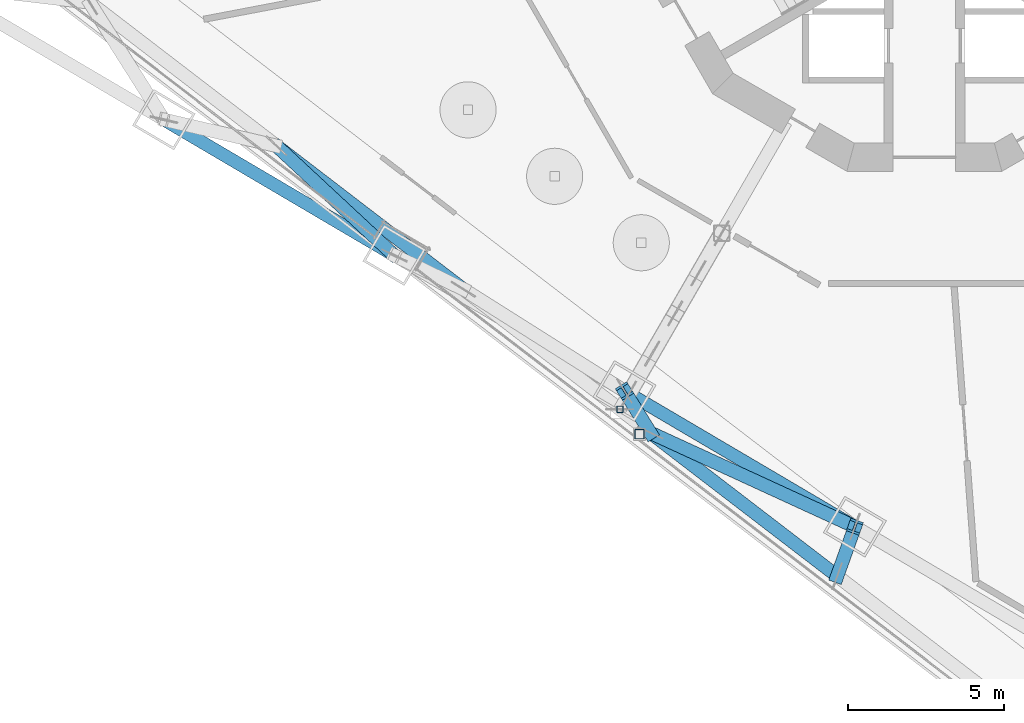
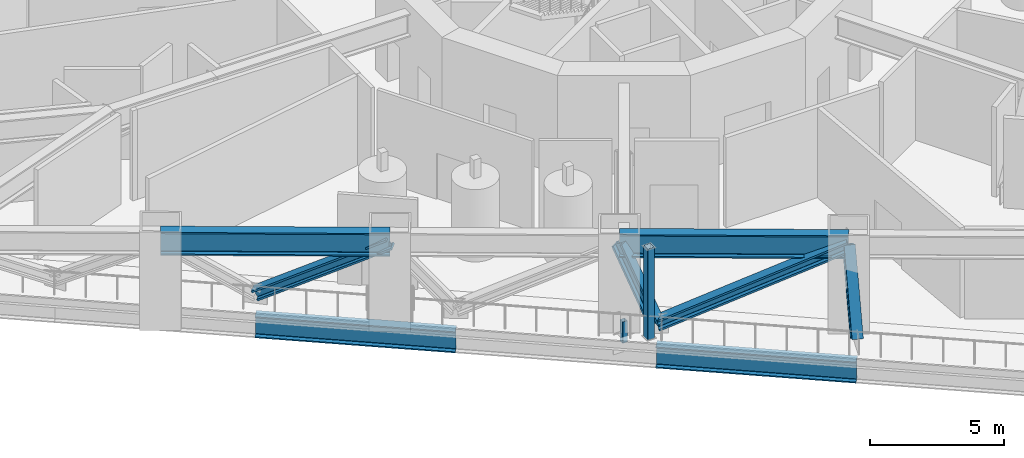
# One storey, part 1 of 23: 10 members.
"""IFC4 building model written with IfcOpenShell, lengths in metres."""

from ifc_helpers import new_model, si_unit, direction, frame, origin, origin_2d, place, context, subcontext, project, spatial, hollow_rectangle, i_section, extrude, material, material_profile, profile_set, type_object, element, save


model = new_model("IFC4")

# Units and contexts
model_context = context("Model", 3, precision=1e-05, world=origin(), true_north=direction((0.0, 1.0)))
body_context = subcontext(model_context, "Body", "Model", "MODEL_VIEW")
ifc_project = project(units=[si_unit("LENGTHUNIT", "METRE"), si_unit("AREAUNIT", "SQUARE_METRE"), si_unit("VOLUMEUNIT", "CUBIC_METRE"), si_unit("PLANEANGLEUNIT", "RADIAN"), si_unit("MASSUNIT", "GRAM", prefix="KILO")], contexts=[model_context])

# Site, building, storey
site_placement = place(None, origin())
site = spatial("IfcSite", under=ifc_project, at=site_placement, CompositionType="ELEMENT")
building_placement = place(site_placement, origin())
building = spatial("IfcBuilding", under=site, at=building_placement, Name="Trine Commons Tower", CompositionType="ELEMENT")
storey_placement = place(building_placement, frame((0.0, 0.0, 156.60009765625)))
storey = spatial("IfcBuildingStorey", under=building, at=storey_placement, Name="L40", CompositionType="ELEMENT", Elevation=156.60009765625)

# Members
ifc_material_1 = material(Name="Structural steel ASTM A992 Gr50", Category="steel")
ifc_material_profile_1 = material_profile(ifc_material_1, i_section(OverallWidth=0.4287109375, OverallDepth=0.482666015625, WebThickness=0.05126953125, FlangeThickness=0.08154296875, FilletRadius=0.015380859375, at=origin_2d()), Name="W14X455")
ifc_profile_set_1 = profile_set([ifc_material_profile_1], Name="Structural steel ASTM A992 Gr50")
member_type_1 = type_object("IfcMemberType", Name="Steel brace W14X455, ASTM A992 Gr50", PredefinedType="BRACE", material=ifc_profile_set_1)
member_1_placement = place(storey_placement, frame((77.20556640625, 40.25, 0.482421875), z_axis=(0.159216978121, 0.444027047802, 0.8817538969), x_axis=(-0.941314167651, 0.337531684113, 0.0)))
element("IfcMember", 1, at=member_1_placement, inside=storey, type_object=member_type_1, Name="Belt truss brace T4-DG-05", PredefinedType="BRACE", context=body_context, shape_type="SweptSolid", body=[
    extrude(i_section(OverallWidth=0.4287109375, OverallDepth=0.482666015625, WebThickness=0.05126953125, FlangeThickness=0.08154296875, FilletRadius=0.015380859375, at=origin_2d()), origin(), (0.0, 0.0, 1.0), 3.565185546875),
])
member_2_placement = place(storey_placement, frame((71.214111328125, 44.847412109375, 0.482421875), z_axis=(0.833070587324, -0.382860215205, 0.3992636374), x_axis=(0.41758847556, 0.908636266655, 0.0)))
element("IfcMember", 2, at=member_2_placement, inside=storey, type_object=member_type_1, Name="Belt truss brace T4-DG-06", PredefinedType="BRACE", context=body_context, shape_type="SweptSolid", body=[
    extrude(i_section(OverallWidth=0.4287109375, OverallDepth=0.482666015625, WebThickness=0.05126953125, FlangeThickness=0.08154296875, FilletRadius=0.015380859375, at=origin_2d()), origin(), (0.0, 0.0, 1.0), 7.873291015625),
])
member_3_placement = place(storey_placement, frame((71.214111328125, 44.847412109375, 0.482421875), z_axis=(-0.234980013703, 0.380053422518, 0.894619354358), x_axis=(-0.850556632697, -0.52588346102, 0.0)))
element("IfcMember", 3, at=member_3_placement, inside=storey, type_object=member_type_1, Name="Belt truss brace T4-DG-07", PredefinedType="BRACE", context=body_context, shape_type="SweptSolid", body=[
    extrude(i_section(OverallWidth=0.4287109375, OverallDepth=0.482666015625, WebThickness=0.05126953125, FlangeThickness=0.08154296875, FilletRadius=0.015380859375, at=origin_2d()), origin(), (0.0, 0.0, 1.0), 3.513916015625),
])
member_4_placement = place(storey_placement, frame((59.2314453125, 54.0419921875, 0.482421875), z_axis=(0.625035311659, -0.581430078293, 0.520835792967), x_axis=(0.681105123998, 0.732185639072, 0.0)))
element("IfcMember", 4, at=member_4_placement, inside=storey, type_object=member_type_1, Name="Belt truss brace T4-DG-10", PredefinedType="BRACE", context=body_context, shape_type="SweptSolid", body=[
    extrude(i_section(OverallWidth=0.4287109375, OverallDepth=0.482666015625, WebThickness=0.05126953125, FlangeThickness=0.08154296875, FilletRadius=0.015380859375, at=origin_2d()), origin(), (0.0, 0.0, 1.0), 6.03564453125),
])
ifc_material_profile_2 = material_profile(ifc_material_1, i_section(OverallWidth=0.42529296875, OverallDepth=0.965087890625, WebThickness=0.0283203125, FlangeThickness=0.051025390625, FilletRadius=0.024169921875, at=origin_2d()), Name="W36X361")
ifc_profile_set_2 = profile_set([ifc_material_profile_2], Name="Structural steel ASTM A992 Gr50")
member_type_2 = type_object("IfcMemberType", Name="Steel chord W36X361, ASTM A992 Gr50", PredefinedType="CHORD", material=ifc_profile_set_2)
for number, where, z_axis, x_axis, name in (
    (5, (77.20556640625, 40.25, -0.9326171875), (-0.793352897067, 0.608762006629, 0.0), (-0.608762006629, -0.793352897067, 0.0), "Belt truss chord T4-LC-03"),
    (6, (65.222900390625, 49.444580078125, -0.9326171875), (-0.793352897067, 0.608762006629, 0.0), (-0.608762006629, -0.793352897067, 0.0), "Belt truss chord T4-LC-05"),
):
    element("IfcMember", number, at=place(storey_placement, frame(where, z_axis=z_axis, x_axis=x_axis)), inside=storey, type_object=member_type_2, Name=name, PredefinedType="CHORD", context=body_context, shape_type="SweptSolid", body=[
        extrude(i_section(OverallWidth=0.42529296875, OverallDepth=0.965087890625, WebThickness=0.0283203125, FlangeThickness=0.051025390625, FilletRadius=0.024169921875, at=origin_2d()), origin(), (0.0, 0.0, 1.0), 7.552001953125),
    ])
ifc_material_profile_3 = material_profile(ifc_material_1, i_section(OverallWidth=0.412841796875, OverallDepth=1.0478515625, WebThickness=0.033935546875, FlangeThickness=0.059814453125, FilletRadius=0.030029296875, at=origin_2d()), Name="W40X431")
ifc_profile_set_3 = profile_set([ifc_material_profile_3], Name="Structural steel ASTM A992 Gr50")
member_type_3 = type_object("IfcMemberType", Name="Steel chord W40X431, ASTM A992 Gr50", PredefinedType="CHORD", material=ifc_profile_set_3)
member_5_placement = place(storey_placement, frame((77.773193359375, 41.8330078125, 3.6259765625), z_axis=(-0.861634562482, 0.507529192004, 0.0), x_axis=(-0.507529192004, -0.861634562482, 0.0)))
element("IfcMember", 7, at=member_5_placement, inside=storey, type_object=member_type_3, Name="Belt truss chord T4-UC-03", PredefinedType="CHORD", context=body_context, shape_type="SweptSolid", body=[
    extrude(i_section(OverallWidth=0.412841796875, OverallDepth=1.0478515625, WebThickness=0.033935546875, FlangeThickness=0.059814453125, FilletRadius=0.030029296875, at=origin_2d()), origin(), (0.0, 0.0, 1.0), 8.570556640625),
])
member_6_placement = place(storey_placement, frame((63.00390625, 50.53271484375, 3.6259765625), z_axis=(-0.861622105485, 0.50755033971, 0.0), x_axis=(-0.50755033971, -0.861622105485, 0.0)))
element("IfcMember", 8, at=member_6_placement, inside=storey, type_object=member_type_3, Name="Belt truss chord T4-UC-05", PredefinedType="CHORD", context=body_context, shape_type="SweptSolid", body=[
    extrude(i_section(OverallWidth=0.412841796875, OverallDepth=1.0478515625, WebThickness=0.033935546875, FlangeThickness=0.059814453125, FilletRadius=0.030029296875, at=origin_2d()), origin(), (0.0, 0.0, 1.0), 8.57080078125),
])
ifc_material_2 = material(Name="Structural steel ASTM A500 Gr C", Category="steel")
ifc_material_profile_4 = material_profile(ifc_material_2, hollow_rectangle(XDim=0.3046875, YDim=0.3046875, WallThickness=0.014892578125, InnerFilletRadius=0.00732421875, OuterFilletRadius=0.022216796875, at=origin_2d()), Name="HSS12X12X5/8")
ifc_profile_set_4 = profile_set([ifc_material_profile_4], Name="Structural steel ASTM A500 Gr C")
member_type_4 = type_object("IfcMemberType", Name="Steel post HSS12X12X5/8, ASTM A500 Gr C", PredefinedType="POST", material=ifc_profile_set_4)
member_7_placement = place(storey_placement, frame((70.868408203125, 44.797607421875, 0.0), z_axis=(0.0, 0.0, 1.0), x_axis=(1.0, 0.0, 0.0)))
element("IfcMember", 9, at=member_7_placement, inside=storey, type_object=member_type_4, Name="Roof post SP4-33", PredefinedType="POST", context=body_context, shape_type="SweptSolid", body=[
    extrude(hollow_rectangle(XDim=0.3046875, YDim=0.3046875, WallThickness=0.014892578125, InnerFilletRadius=0.00732421875, OuterFilletRadius=0.022216796875, at=origin_2d()), origin(), (0.0, 0.0, 1.0), 4.14990234375),
])
ifc_material_profile_5 = material_profile(ifc_material_2, hollow_rectangle(XDim=0.203125, YDim=0.203125, WallThickness=0.0087890625, InnerFilletRadius=0.00439453125, OuterFilletRadius=0.013427734375, at=origin_2d()), Name="HSS8X8X3/8")
ifc_profile_set_5 = profile_set([ifc_material_profile_5], Name="Structural steel ASTM A500 Gr C")
member_type_5 = type_object("IfcMemberType", Name="Steel post HSS8X8X3/8, ASTM A500 Gr C", PredefinedType="POST", material=ifc_profile_set_5)
member_8_placement = place(storey_placement, frame((70.239990234375, 45.594970703125, -0.4501953125), z_axis=(0.0, 0.0, 1.0), x_axis=(1.0, 0.0, 0.0)))
element("IfcMember", 10, at=member_8_placement, inside=storey, type_object=member_type_5, Name="Outrigger truss post T4-OS-02", PredefinedType="POST", context=body_context, shape_type="SweptSolid", body=[
    extrude(hollow_rectangle(XDim=0.203125, YDim=0.203125, WallThickness=0.0087890625, InnerFilletRadius=0.00439453125, OuterFilletRadius=0.013427734375, at=origin_2d()), origin(), (0.0, 0.0, 1.0), 0.973876953125),
])

save(model, "model.ifc")
